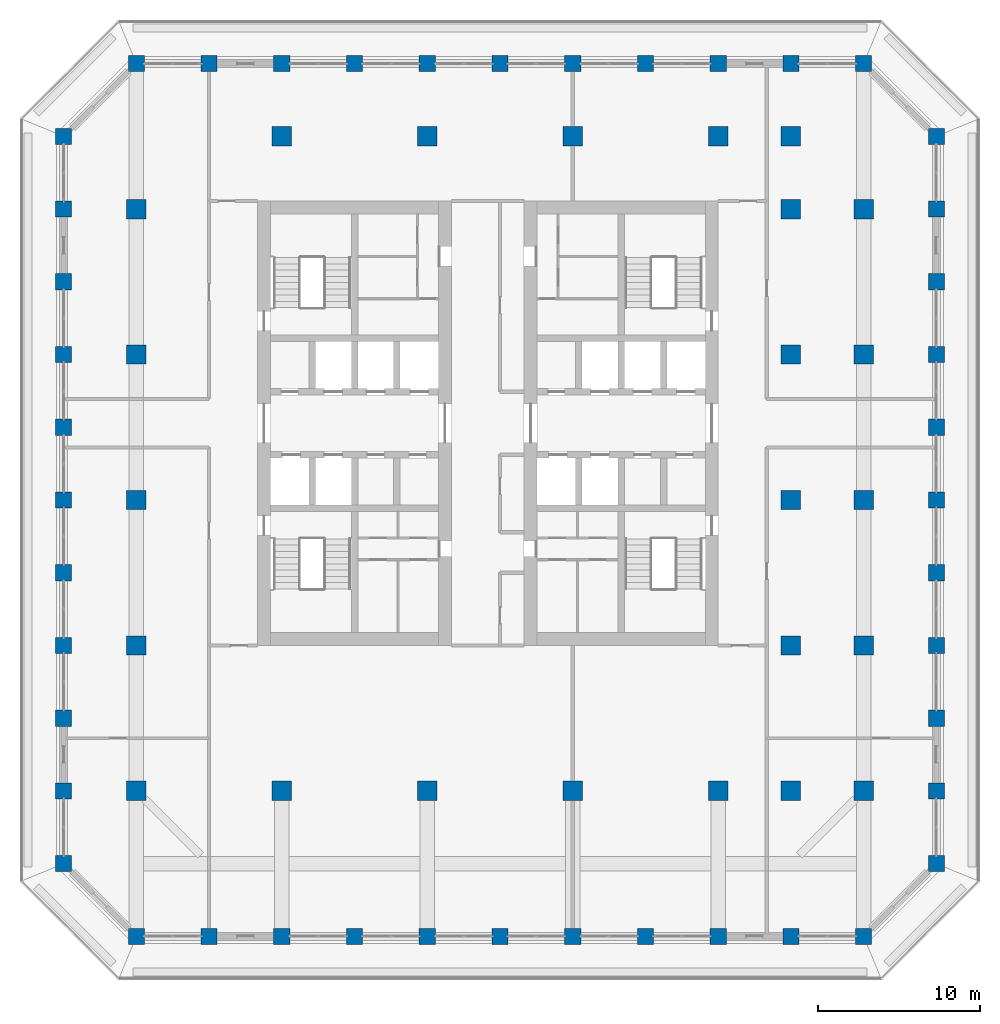
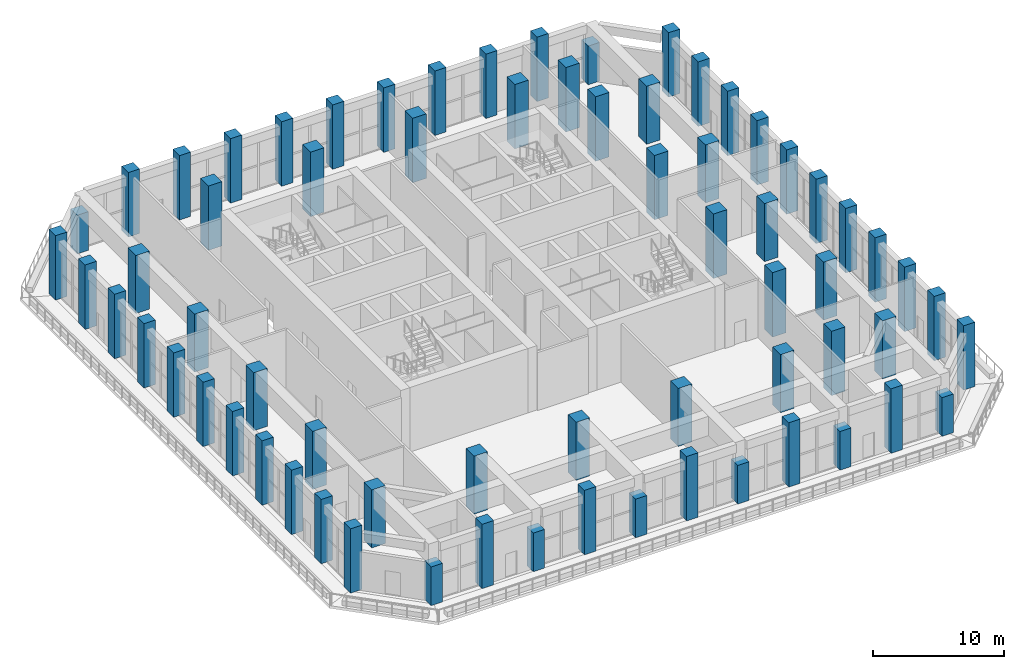
# One storey, part 1 of 25: 68 columns.
"""IFC4 building model written with IfcOpenShell, lengths in metres."""

from ifc_helpers import new_model, si_unit, direction, frame, origin, origin_2d, place, context, subcontext, project, spatial, rectangle, extrude, material, material_profile, profile_set, type_object, element, save


model = new_model("IFC4")

# Units and contexts
model_context = context("Model", 3, precision=1e-05, world=origin(), true_north=direction((0.0, 1.0)))
body_context = subcontext(model_context, "Body", "Model", "MODEL_VIEW")
ifc_project = project(units=[si_unit("LENGTHUNIT", "METRE"), si_unit("AREAUNIT", "SQUARE_METRE"), si_unit("VOLUMEUNIT", "CUBIC_METRE"), si_unit("PLANEANGLEUNIT", "RADIAN"), si_unit("MASSUNIT", "GRAM", prefix="KILO")], contexts=[model_context])

# Site, building, storey
site_placement = place(None, origin())
site = spatial("IfcSite", under=ifc_project, at=site_placement, CompositionType="ELEMENT")
building_placement = place(site_placement, origin())
building = spatial("IfcBuilding", under=site, at=building_placement, Name="Corbel Stack Research Tower", CompositionType="ELEMENT")
storey_placement = place(building_placement, frame((0.0, 0.0, 220.199951171875)))
storey = spatial("IfcBuildingStorey", under=building, at=storey_placement, Name="L50", CompositionType="ELEMENT", Elevation=220.199951171875)

# Columns
ifc_material_1 = material(Name="Concrete C60/75", Category="concrete")
ifc_material_profile_1 = material_profile(ifc_material_1, rectangle(XDim=1.0, YDim=1.0, at=origin_2d()), Name="RC 1000 x 1000")
ifc_profile_set_1 = profile_set([ifc_material_profile_1], Name="Concrete C60/75")
column_type_1 = type_object("IfcColumnType", Name="C-1000-60", PredefinedType="COLUMN", material=ifc_profile_set_1)
for number, where, z_axis, x_axis, name in (
    (1, (-22.5, -22.5, 0.0), (0.0, 0.0, 1.0), (1.0, 0.0, 0.0), "Column 3/C L50"),
    (2, (-22.5, -18.0, 0.0), (0.0, 0.0, 1.0), (1.0, 0.0, 0.0), "Column 3/D L50"),
    (3, (-22.5, -13.5, 0.0), (0.0, 0.0, 1.0), (1.0, 0.0, 0.0), "Column 3/E L50"),
    (4, (-22.5, -9.0, 0.0), (0.0, 0.0, 1.0), (1.0, 0.0, 0.0), "Column 3/F L50"),
    (5, (-22.5, -4.5, 0.0), (0.0, 0.0, 1.0), (1.0, 0.0, 0.0), "Column 3/G L50"),
    (6, (-22.5, 0.0, 0.0), (0.0, 0.0, 1.0), (1.0, 0.0, 0.0), "Column 3/H L50"),
    (7, (-22.5, 4.5, 0.0), (0.0, 0.0, 1.0), (1.0, 0.0, 0.0), "Column 3/J L50"),
    (8, (-22.5, 9.0, 0.0), (0.0, 0.0, 1.0), (1.0, 0.0, 0.0), "Column 3/K L50"),
    (9, (-22.5, 13.5, 0.0), (0.0, 0.0, 1.0), (1.0, 0.0, 0.0), "Column 3/L L50"),
    (10, (-22.5, 18.0, 0.0), (0.0, 0.0, 1.0), (1.0, 0.0, 0.0), "Column 3/M L50"),
    (11, (-22.5, 22.5, 0.0), (0.0, 0.0, 1.0), (1.0, 0.0, 0.0), "Column 3/N L50"),
    (12, (-13.5, -27.0, 0.0), (0.0, 0.0, 1.0), (1.0, 0.0, 0.0), "Column 5/B L50"),
    (13, (-13.5, 27.0, 0.0), (0.0, 0.0, 1.0), (1.0, 0.0, 0.0), "Column 5/P L50"),
    (14, (-9.0, 27.0, 0.0), (0.0, 0.0, 1.0), (1.0, 0.0, 0.0), "Column 6/P L50"),
    (15, (-4.5, -27.0, 0.0), (0.0, 0.0, 1.0), (1.0, 0.0, 0.0), "Column 7/B L50"),
    (16, (-4.5, 27.0, 0.0), (0.0, 0.0, 1.0), (1.0, 0.0, 0.0), "Column 7/P L50"),
    (17, (0.0, 27.0, 0.0), (0.0, 0.0, 1.0), (1.0, 0.0, 0.0), "Column 8/P L50"),
    (18, (4.5, -27.0, 0.0), (0.0, 0.0, 1.0), (1.0, 0.0, 0.0), "Column 9/B L50"),
    (19, (4.5, 27.0, 0.0), (0.0, 0.0, 1.0), (1.0, 0.0, 0.0), "Column 9/P L50"),
    (20, (9.0, 27.0, 0.0), (0.0, 0.0, 1.0), (1.0, 0.0, 0.0), "Column 10/P L50"),
    (21, (13.5, -27.0, 0.0), (0.0, 0.0, 1.0), (1.0, 0.0, 0.0), "Column 11/B L50"),
    (22, (13.5, 27.0, 0.0), (0.0, 0.0, 1.0), (1.0, 0.0, 0.0), "Column 11/P L50"),
    (23, (18.0, 27.0, 0.0), (0.0, 0.0, 1.0), (1.0, 0.0, 0.0), "Column 12/P L50"),
    (24, (22.5, -27.0, 0.0), (0.0, 0.0, 1.0), (1.0, 0.0, 0.0), "Column 13/B L50"),
    (25, (22.5, 27.0, 0.0), (0.0, 0.0, 1.0), (1.0, 0.0, 0.0), "Column 13/P L50"),
    (26, (31.5, -22.5, 0.0), (0.0, 0.0, 1.0), (1.0, 0.0, 0.0), "Column 15/C L50"),
    (27, (31.5, -18.0, 0.0), (0.0, 0.0, 1.0), (1.0, 0.0, 0.0), "Column 15/D L50"),
    (28, (31.5, -13.5, 0.0), (0.0, 0.0, 1.0), (1.0, 0.0, 0.0), "Column 15/E L50"),
    (29, (31.5, -9.0, 0.0), (0.0, 0.0, 1.0), (1.0, 0.0, 0.0), "Column 15/F L50"),
    (30, (31.5, -4.5, 0.0), (0.0, 0.0, 1.0), (1.0, 0.0, 0.0), "Column 15/G L50"),
    (31, (31.5, 0.0, 0.0), (0.0, 0.0, 1.0), (1.0, 0.0, 0.0), "Column 15/H L50"),
    (32, (31.5, 4.5, 0.0), (0.0, 0.0, 1.0), (1.0, 0.0, 0.0), "Column 15/J L50"),
    (33, (31.5, 9.0, 0.0), (0.0, 0.0, 1.0), (1.0, 0.0, 0.0), "Column 15/K L50"),
    (34, (31.5, 13.5, 0.0), (0.0, 0.0, 1.0), (1.0, 0.0, 0.0), "Column 15/L L50"),
    (35, (31.5, 18.0, 0.0), (0.0, 0.0, 1.0), (1.0, 0.0, 0.0), "Column 15/M L50"),
    (36, (31.5, 22.5, 0.0), (0.0, 0.0, 1.0), (1.0, 0.0, 0.0), "Column 15/N L50"),
):
    element("IfcColumn", number, at=place(storey_placement, frame(where, z_axis=z_axis, x_axis=x_axis)), inside=storey, type_object=column_type_1, Name=name, PredefinedType="COLUMN", context=body_context, shape_type="SweptSolid", body=[
        extrude(rectangle(XDim=1.0, YDim=1.0, at=origin_2d()), origin(), (0.0, 0.0, 1.0), 6.0),
    ])
ifc_material_2 = material(Name="Concrete C60/75", Category="concrete")
ifc_material_profile_2 = material_profile(ifc_material_2, rectangle(XDim=1.199951171875, YDim=1.199951171875, at=origin_2d()), Name="RC 1200 x 1200")
ifc_profile_set_2 = profile_set([ifc_material_profile_2], Name="Concrete C60/75")
column_type_2 = type_object("IfcColumnType", Name="C-1200-60", PredefinedType="COLUMN", material=ifc_profile_set_2)
for number, where, z_axis, x_axis, name in (
    (37, (-9.0, 22.5, 0.0), (0.0, 0.0, 1.0), (1.0, 0.0, 0.0), "Column 6/N L50"),
    (38, (0.0, 22.5, 0.0), (0.0, 0.0, 1.0), (1.0, 0.0, 0.0), "Column 8/N L50"),
    (39, (9.0, 22.5, 0.0), (0.0, 0.0, 1.0), (1.0, 0.0, 0.0), "Column 10/N L50"),
    (40, (18.0, 22.5, 0.0), (0.0, 0.0, 1.0), (1.0, 0.0, 0.0), "Column 12/N L50"),
    (41, (22.5, -18.0, 0.0), (0.0, 0.0, 1.0), (1.0, 0.0, 0.0), "Column 13/D L50"),
    (42, (22.5, -9.0, 0.0), (0.0, 0.0, 1.0), (1.0, 0.0, 0.0), "Column 13/F L50"),
    (43, (22.5, 0.0, 0.0), (0.0, 0.0, 1.0), (1.0, 0.0, 0.0), "Column 13/H L50"),
    (44, (22.5, 9.0, 0.0), (0.0, 0.0, 1.0), (1.0, 0.0, 0.0), "Column 13/K L50"),
    (45, (22.5, 18.0, 0.0), (0.0, 0.0, 1.0), (1.0, 0.0, 0.0), "Column 13/M L50"),
    (46, (22.5, 22.5, 0.0), (0.0, 0.0, 1.0), (1.0, 0.0, 0.0), "Column 13/N L50"),
):
    element("IfcColumn", number, at=place(storey_placement, frame(where, z_axis=z_axis, x_axis=x_axis)), inside=storey, type_object=column_type_2, Name=name, PredefinedType="COLUMN", context=body_context, shape_type="SweptSolid", body=[
        extrude(rectangle(XDim=1.199951171875, YDim=1.199951171875, at=origin_2d()), origin(), (0.0, 0.0, 1.0), 6.0),
    ])
ifc_material_3 = material(Name="Concrete C60/75", Category="concrete")
ifc_material_profile_3 = material_profile(ifc_material_3, rectangle(XDim=1.0, YDim=1.0, at=origin_2d()), Name="RC 1000 x 1000")
ifc_profile_set_3 = profile_set([ifc_material_profile_3], Name="Concrete C60/75")
column_type_3 = type_object("IfcColumnType", Name="CG-1000-60-2400", PredefinedType="COLUMN", material=ifc_profile_set_3)
for number, where, z_axis, x_axis, name in (
    (47, (-18.0, -27.0, 0.0), (0.0, 0.0, 1.0), (1.0, 0.0, 0.0), "Column 4/B L50"),
    (48, (-18.0, 27.0, 0.0), (0.0, 0.0, 1.0), (1.0, 0.0, 0.0), "Column 4/P L50"),
    (49, (-9.0, -27.0, 0.0), (0.0, 0.0, 1.0), (1.0, 0.0, 0.0), "Column 6/B L50"),
    (50, (0.0, -27.0, 0.0), (0.0, 0.0, 1.0), (1.0, 0.0, 0.0), "Column 8/B L50"),
    (51, (9.0, -27.0, 0.0), (0.0, 0.0, 1.0), (1.0, 0.0, 0.0), "Column 10/B L50"),
    (52, (18.0, -27.0, 0.0), (0.0, 0.0, 1.0), (1.0, 0.0, 0.0), "Column 12/B L50"),
    (53, (27.0, -27.0, 0.0), (0.0, 0.0, 1.0), (1.0, 0.0, 0.0), "Column 14/B L50"),
    (54, (27.0, 27.0, 0.0), (0.0, 0.0, 1.0), (1.0, 0.0, 0.0), "Column 14/P L50"),
):
    element("IfcColumn", number, at=place(storey_placement, frame(where, z_axis=z_axis, x_axis=x_axis)), inside=storey, type_object=column_type_3, Name=name, PredefinedType="COLUMN", context=body_context, shape_type="SweptSolid", body=[
        extrude(rectangle(XDim=1.0, YDim=1.0, at=origin_2d()), origin(), (0.0, 0.0, 1.0), 3.60009765625),
    ])
ifc_material_4 = material(Name="Concrete C60/75", Category="concrete")
ifc_material_profile_4 = material_profile(ifc_material_4, rectangle(XDim=1.199951171875, YDim=1.199951171875, at=origin_2d()), Name="RC 1200 x 1200")
ifc_profile_set_4 = profile_set([ifc_material_profile_4], Name="Concrete C60/75")
column_type_4 = type_object("IfcColumnType", Name="CG-1200-60-600", PredefinedType="COLUMN", material=ifc_profile_set_4)
for number, where, z_axis, x_axis, name in (
    (55, (-18.0, -18.0, 0.0), (0.0, 0.0, 1.0), (1.0, 0.0, 0.0), "Column 4/D L50"),
    (56, (-18.0, -9.0, 0.0), (0.0, 0.0, 1.0), (1.0, 0.0, 0.0), "Column 4/F L50"),
    (57, (-18.0, 0.0, 0.0), (0.0, 0.0, 1.0), (1.0, 0.0, 0.0), "Column 4/H L50"),
    (58, (-18.0, 9.0, 0.0), (0.0, 0.0, 1.0), (1.0, 0.0, 0.0), "Column 4/K L50"),
    (59, (-18.0, 18.0, 0.0), (0.0, 0.0, 1.0), (1.0, 0.0, 0.0), "Column 4/M L50"),
    (60, (-9.0, -18.0, 0.0), (0.0, 0.0, 1.0), (1.0, 0.0, 0.0), "Column 6/D L50"),
    (61, (0.0, -18.0, 0.0), (0.0, 0.0, 1.0), (1.0, 0.0, 0.0), "Column 8/D L50"),
    (62, (9.0, -18.0, 0.0), (0.0, 0.0, 1.0), (1.0, 0.0, 0.0), "Column 10/D L50"),
    (63, (18.0, -18.0, 0.0), (0.0, 0.0, 1.0), (1.0, 0.0, 0.0), "Column 12/D L50"),
    (64, (27.0, -18.0, 0.0), (0.0, 0.0, 1.0), (1.0, 0.0, 0.0), "Column 14/D L50"),
    (65, (27.0, -9.0, 0.0), (0.0, 0.0, 1.0), (1.0, 0.0, 0.0), "Column 14/F L50"),
    (66, (27.0, 0.0, 0.0), (0.0, 0.0, 1.0), (1.0, 0.0, 0.0), "Column 14/H L50"),
    (67, (27.0, 9.0, 0.0), (0.0, 0.0, 1.0), (1.0, 0.0, 0.0), "Column 14/K L50"),
    (68, (27.0, 18.0, 0.0), (0.0, 0.0, 1.0), (1.0, 0.0, 0.0), "Column 14/M L50"),
):
    element("IfcColumn", number, at=place(storey_placement, frame(where, z_axis=z_axis, x_axis=x_axis)), inside=storey, type_object=column_type_4, Name=name, PredefinedType="COLUMN", context=body_context, shape_type="SweptSolid", body=[
        extrude(rectangle(XDim=1.199951171875, YDim=1.199951171875, at=origin_2d()), origin(), (0.0, 0.0, 1.0), 5.400146484375),
    ])

save(model, "model.ifc")
